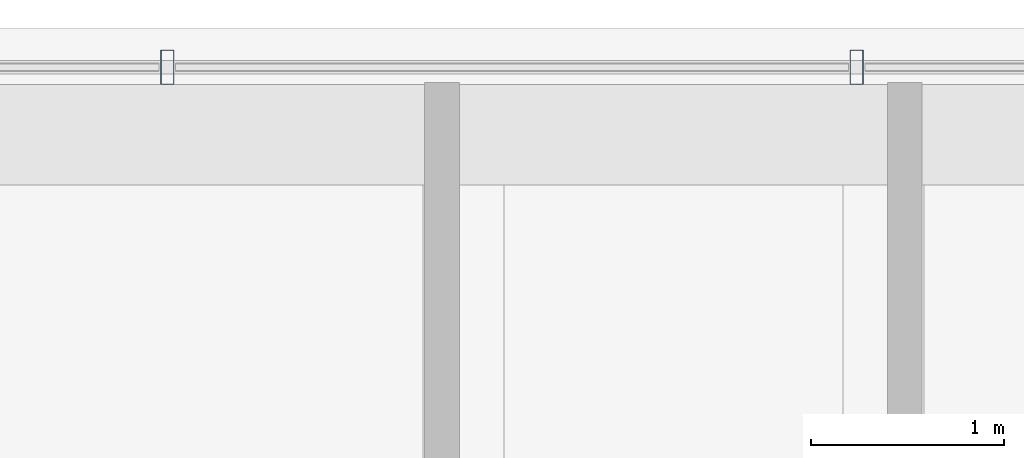
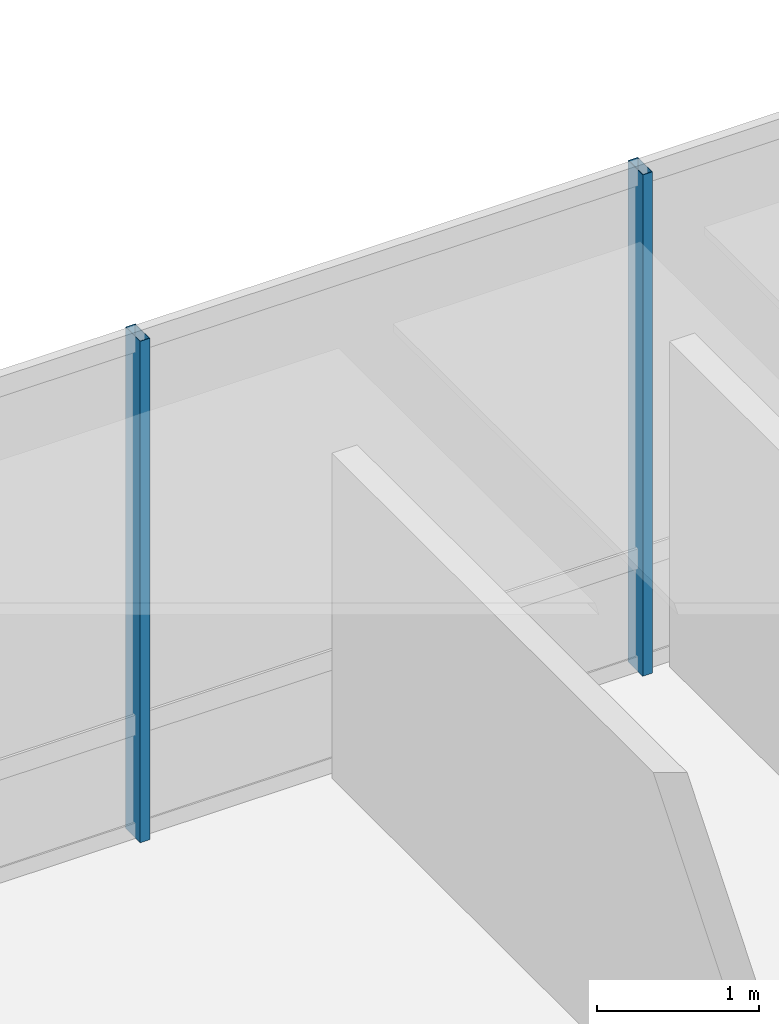
# One storey, part 28 of 51: 2 members, 1 element without a shape of its own.
"""IFC4 building model written with IfcOpenShell, lengths in metres."""

from ifc_helpers import new_model, si_unit, direction, frame, origin, origin_2d, place, context, subcontext, project, spatial, hollow_rectangle, extrude, material, material_profile, profile_set, type_object, element, aggregate, save


model = new_model("IFC4")

# Units and contexts
model_context = context("Model", 3, precision=1e-05, world=origin(), true_north=direction((0.0, 1.0)))
body_context = subcontext(model_context, "Body", "Model", "MODEL_VIEW")
ifc_project = project(units=[si_unit("LENGTHUNIT", "METRE"), si_unit("AREAUNIT", "SQUARE_METRE"), si_unit("VOLUMEUNIT", "CUBIC_METRE"), si_unit("PLANEANGLEUNIT", "RADIAN"), si_unit("MASSUNIT", "GRAM", prefix="KILO")], contexts=[model_context])

# Site, building, storey
site_placement = place(None, origin())
site = spatial("IfcSite", under=ifc_project, at=site_placement, CompositionType="ELEMENT")
building_placement = place(site_placement, origin())
building = spatial("IfcBuilding", under=site, at=building_placement, Name="Punatoya Terracotta Tower", CompositionType="ELEMENT")
storey_placement = place(building_placement, frame((0.0, 0.0, 279.75)))
storey = spatial("IfcBuildingStorey", under=building, at=storey_placement, Name="L66", CompositionType="ELEMENT", Elevation=279.75)

# Curtain wall, members
ifc_material_1 = material(Name="Aluminium 6063-T6 + Double Low-E Glass", Category="aluminium")
curtain_wall_type = type_object("IfcCurtainWallType", Name="CW-M3", PredefinedType="NOTDEFINED", material=ifc_material_1)
curtain_wall_placement = place(storey_placement, origin())
curtain_wall = element("IfcCurtainWall", 1, at=curtain_wall_placement, inside=storey, type_object=curtain_wall_type, Name="L66 Curtain Wall CW-L66-N09-1", PredefinedType="NOTDEFINED")
ifc_material_2 = material(Name="Aluminium 6063-T6", Category="aluminium")
ifc_material_profile = material_profile(ifc_material_2, hollow_rectangle(XDim=0.070068359375, YDim=0.179931640625, WallThickness=0.00390625, at=origin_2d()))
ifc_profile_set = profile_set([ifc_material_profile], Name="Aluminium 6063-T6")
member_type = type_object("IfcMemberType", Name="CW-MUL-M3", PredefinedType="MULLION", material=ifc_profile_set)
member_1_placement = place(storey_placement, frame((9.550048828125, 23.25, 0.0), z_axis=(0.0, 0.0, 1.0), x_axis=(1.0, 0.0, 0.0)))
member_1 = element("IfcMember", 2, at=member_1_placement, type_object=member_type, Name="CW-L66-N09-1 Mullion 02", PredefinedType="MULLION", context=body_context, shape_type="SweptSolid", body=[
    extrude(hollow_rectangle(XDim=0.070068359375, YDim=0.179931640625, WallThickness=0.00390625, at=origin_2d()), origin(), (0.0, 0.0, 1.0), 3.77001953125),
])
member_2_placement = place(storey_placement, frame((5.97509765625, 23.25, 0.0), z_axis=(0.0, 0.0, 1.0), x_axis=(1.0, 0.0, 0.0)))
member_2 = element("IfcMember", 3, at=member_2_placement, type_object=member_type, Name="CW-L66-N09-1 Mullion 03", PredefinedType="MULLION", context=body_context, shape_type="SweptSolid", body=[
    extrude(hollow_rectangle(XDim=0.070068359375, YDim=0.179931640625, WallThickness=0.00390625, at=origin_2d()), origin(), (0.0, 0.0, 1.0), 3.77001953125),
])
aggregate(curtain_wall, [member_1, member_2])

save(model, "model.ifc")
